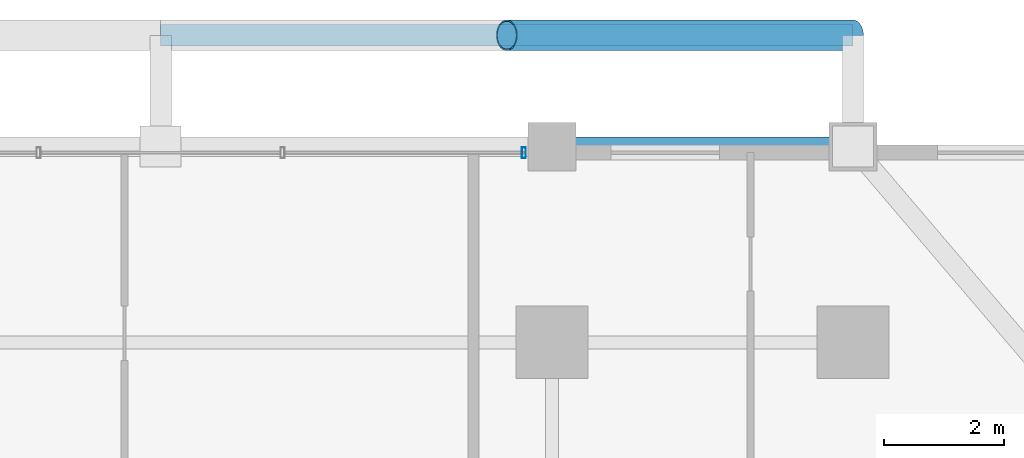
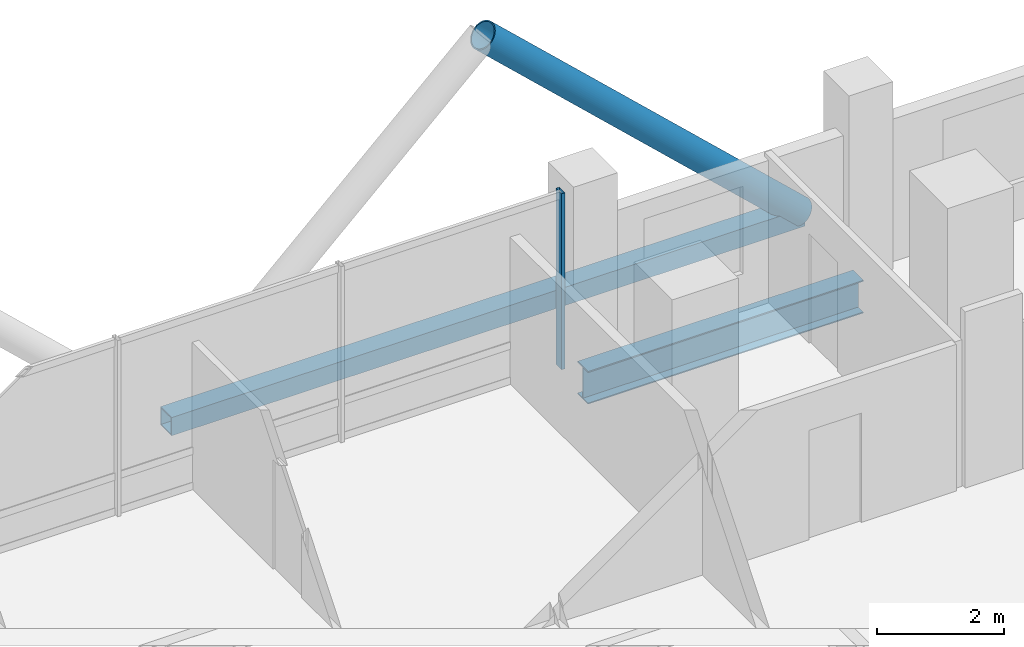
# One storey, part 16 of 24: 3 members, 1 beam, 1 element without a shape of its own.
"""IFC4 building model written with IfcOpenShell, lengths in metres."""

from ifc_helpers import new_model, si_unit, direction, frame, origin, origin_2d, place, context, subcontext, project, spatial, hollow_rectangle, hollow_circle, i_section, extrude, material, layer, layer_set, material_profile, profile_set, type_object, element, aggregate, save


model = new_model("IFC4")

# Units and contexts
model_context = context("Model", 3, precision=1e-05, world=origin(), true_north=direction((0.0, 1.0)))
body_context = subcontext(model_context, "Body", "Model", "MODEL_VIEW")
ifc_project = project(units=[si_unit("LENGTHUNIT", "METRE"), si_unit("AREAUNIT", "SQUARE_METRE"), si_unit("VOLUMEUNIT", "CUBIC_METRE"), si_unit("PLANEANGLEUNIT", "RADIAN"), si_unit("MASSUNIT", "GRAM", prefix="KILO")], contexts=[model_context])

# Site, building, storey
site_placement = place(None, origin())
site = spatial("IfcSite", under=ifc_project, at=site_placement, CompositionType="ELEMENT")
building_placement = place(site_placement, origin())
building = spatial("IfcBuilding", under=site, at=building_placement, Name="Barlavira Tower and Art Museum", CompositionType="ELEMENT")
storey_placement = place(building_placement, frame((0.0, 0.0, 109.800048828125)))
storey = spatial("IfcBuildingStorey", under=building, at=storey_placement, Name="L27", CompositionType="ELEMENT", Elevation=109.800048828125)

# Curtain wall, member
ifc_material_1 = material(Name="Low-iron coastal laminated glass", Category="glass")
ifc_layer = layer(ifc_material_1, 0.18994140625, Name="Low-iron coastal laminated glass")
ifc_layer_set = layer_set([ifc_layer], Name="Low-iron coastal laminated glass")
curtain_wall_type = type_object("IfcCurtainWallType", Name="Pale-Metal Unitised Curtain Wall Zone 2", PredefinedType="NOTDEFINED", material=ifc_layer_set)
curtain_wall_placement = place(storey_placement, origin())
curtain_wall = element("IfcCurtainWall", 1, at=curtain_wall_placement, inside=storey, type_object=curtain_wall_type, Name="L27 Curtain Wall CW2-L27-N-B3", PredefinedType="NOTDEFINED")
ifc_material_2 = material(Name="Pale anodised aluminium", Category="aluminium")
ifc_material_profile_1 = material_profile(ifc_material_2, hollow_rectangle(XDim=0.06494140625, YDim=0.179931640625, WallThickness=0.00390625, at=origin_2d()), Name="ALU-MULL 65x180x4")
ifc_profile_set_1 = profile_set([ifc_material_profile_1], Name="Pale anodised aluminium")
member_type_1 = type_object("IfcMemberType", Name="Curtain Wall Pale-Metal Mullion 65x180", PredefinedType="MULLION", material=ifc_profile_set_1)
member_1_placement = place(storey_placement, frame((6.034912109375, 23.14990234375, 0.0), z_axis=(0.0, 0.0, 1.0), x_axis=(-1.0, 0.0, 0.0)))
member_1 = element("IfcMember", 2, at=member_1_placement, type_object=member_type_1, Name="CW2-L27-N-B3 Mullion 0", PredefinedType="MULLION", context=body_context, shape_type="SweptSolid", body=[
    extrude(hollow_rectangle(XDim=0.06494140625, YDim=0.179931640625, WallThickness=0.00390625, at=origin_2d()), origin(), (0.0, 0.0, 1.0), 3.3798828125),
])
aggregate(curtain_wall, [member_1])

# Members
ifc_material_3 = material(Name="Steel S355", Category="steel")
ifc_material_profile_2 = material_profile(ifc_material_3, hollow_circle(Radius=0.25390625, WallThickness=0.022216796875, at=origin_2d()), Name="CHS 508.0x22.2")
ifc_profile_set_2 = profile_set([ifc_material_profile_2], Name="Steel S355")
member_type_2 = type_object("IfcMemberType", Name="Pale-Metal Exoskeleton Diagrid Tube CHS 508x22 Steel S355", PredefinedType="BRACE", material=ifc_profile_set_2)
member_2_placement = place(storey_placement, frame((11.5, 25.10009765625, -0.1201171875), z_axis=(-0.728934650808, 0.0, 0.684583285548), x_axis=(0.0, -1.0, 0.0)))
element("IfcMember", 3, at=member_2_placement, inside=storey, type_object=member_type_2, Name="L27 Exoskeleton Diagrid Tube N", PredefinedType="BRACE", context=body_context, shape_type="SweptSolid", body=[
    extrude(hollow_circle(Radius=0.25390625, WallThickness=0.022216796875, at=origin_2d()), origin(), (0.0, 0.0, 1.0), 7.88818359375),
])
ifc_material_profile_3 = material_profile(ifc_material_3, hollow_rectangle(XDim=0.35009765625, YDim=0.35009765625, WallThickness=0.02001953125, at=origin_2d()), Name="SHS 350x350x20.0")
ifc_profile_set_3 = profile_set([ifc_material_profile_3], Name="Steel S355")
member_type_3 = type_object("IfcMemberType", Name="Pale-Metal Exoskeleton Ring Strut SHS 350x350x20 Steel S355", PredefinedType="STRUT", material=ifc_profile_set_3)
member_3_placement = place(storey_placement, frame((0.0, 25.10009765625, -0.1201171875), z_axis=(1.0, 0.0, 0.0), x_axis=(0.0, 1.0, 0.0)))
element("IfcMember", 4, at=member_3_placement, inside=storey, type_object=member_type_3, Name="L27 Exoskeleton Ring Strut N", PredefinedType="STRUT", context=body_context, shape_type="SweptSolid", body=[
    extrude(hollow_rectangle(XDim=0.35009765625, YDim=0.35009765625, WallThickness=0.02001953125, at=origin_2d()), origin(), (0.0, 0.0, 1.0), 11.5),
])

# Beam
ifc_material_profile_4 = material_profile(ifc_material_3, i_section(OverallWidth=0.327880859375, OverallDepth=0.62890625, WebThickness=0.013916015625, FlangeThickness=0.021484375, at=origin_2d()), Name="W610x174.0")
ifc_profile_set_4 = profile_set([ifc_material_profile_4], Name="Steel S355")
beam_type = type_object("IfcBeamType", Name="Perimeter Spandrel Edge Beam W610x174 Steel S355", PredefinedType="SPANDREL", material=ifc_profile_set_4)
beam_placement = place(storey_placement, frame((6.5, 23.25, -0.53466796875), z_axis=(1.0, 0.0, 0.0), x_axis=(0.0, 1.0, 0.0)))
element("IfcBeam", 5, at=beam_placement, inside=storey, type_object=beam_type, Name="L27 Spandrel 9", PredefinedType="SPANDREL", context=body_context, shape_type="SweptSolid", body=[
    extrude(i_section(OverallWidth=0.327880859375, OverallDepth=0.62890625, WebThickness=0.013916015625, FlangeThickness=0.021484375, at=origin_2d()), origin(), (0.0, 0.0, 1.0), 5.0),
])

save(model, "model.ifc")
